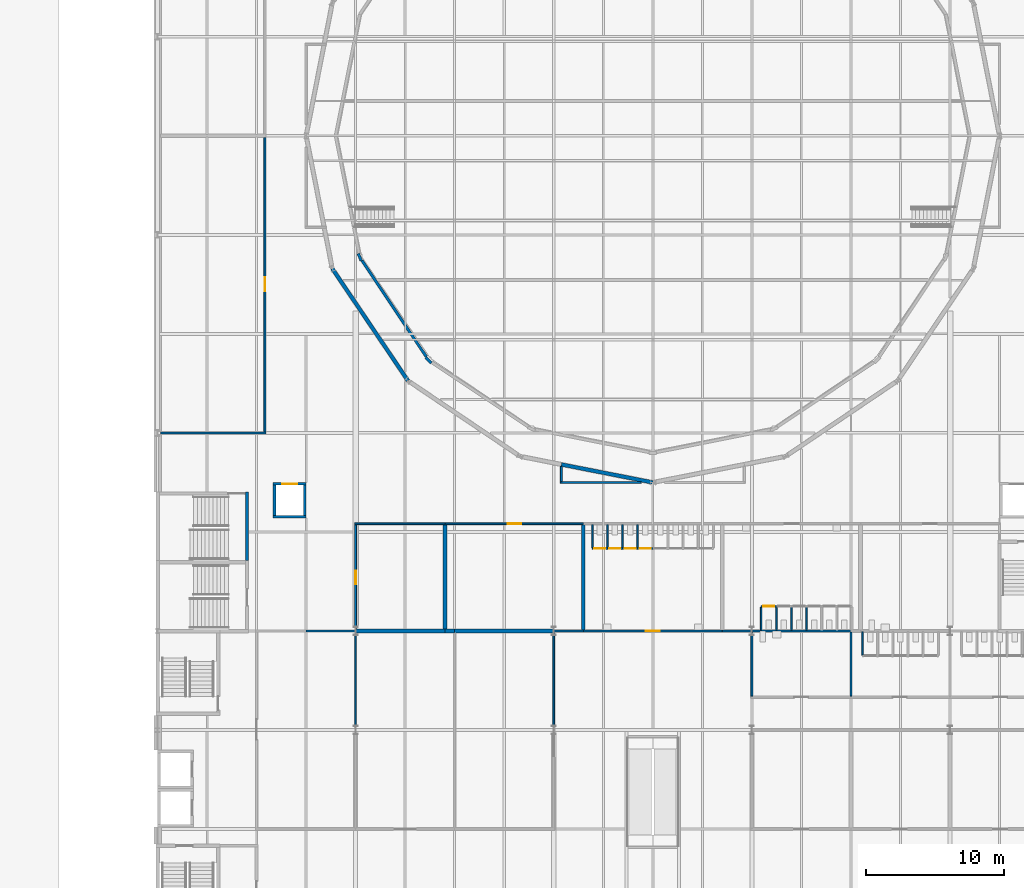
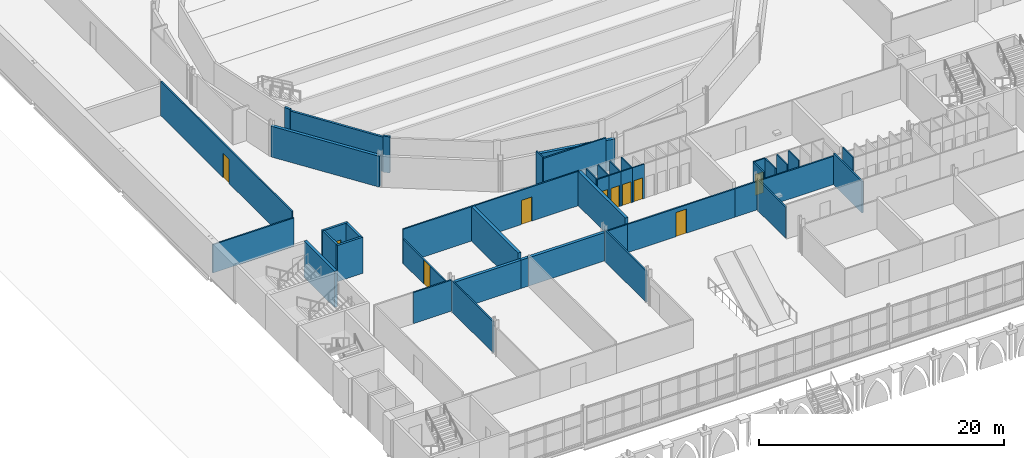
# One storey, part 46 of 90: 45 walls, 10 doors, 10 openings.
"""IFC4 building model written with IfcOpenShell, lengths in metres."""

from ifc_helpers import new_model, si_unit, direction, frame, frame_2d, origin, place, context, subcontext, project, spatial, rectangle, extrude, material, layer, layer_set, type_object, element, fill, save


model = new_model("IFC4")

# Units and contexts
model_context = context("Model", 3, precision=1e-05, world=origin(), true_north=direction((0.0, 1.0)))
body_context = subcontext(model_context, "Body", "Model", "MODEL_VIEW")
ifc_project = project(units=[si_unit("LENGTHUNIT", "METRE"), si_unit("AREAUNIT", "SQUARE_METRE"), si_unit("VOLUMEUNIT", "CUBIC_METRE"), si_unit("PLANEANGLEUNIT", "RADIAN"), si_unit("MASSUNIT", "GRAM", prefix="KILO")], contexts=[model_context])

# Site, building, storey
site_placement = place(None, origin())
site = spatial("IfcSite", under=ifc_project, at=site_placement, CompositionType="ELEMENT")
building_placement = place(site_placement, origin())
building = spatial("IfcBuilding", under=site, at=building_placement, Name="Kupolbacken Congress Centre", CompositionType="ELEMENT")
storey_placement = place(building_placement, frame((0.0, 0.0, 3.60009765625)))
storey = spatial("IfcBuildingStorey", under=building, at=storey_placement, Name="L01", CompositionType="ELEMENT", Elevation=3.60009765625)

# Walls
ifc_material_1 = material(Name="Operable acoustic wall panels", Category="metal")
ifc_layer_1 = layer(ifc_material_1, 0.1201171875)
ifc_layer_set_1 = layer_set([ifc_layer_1], Name="Operable acoustic wall panels")
wall_type_1 = type_object("IfcWallType", Name="MP2 movable partition 120", PredefinedType="MOVABLE", material=ifc_layer_set_1)
wall_1_placement = place(storey_placement, frame((21.60009765625, 50.262451171875, 0.0), z_axis=(0.0, 0.0, 1.0), x_axis=(0.0, -1.0, 0.0)))
element("IfcWall", 1, at=wall_1_placement, inside=storey, type_object=wall_type_1, Name="PD/L01/W029", PredefinedType="MOVABLE", context=body_context, shape_type="SweptSolid", body=[
    extrude(rectangle(XDim=6.762451171875, YDim=0.1201171875, at=frame_2d((3.38134765625, 0.0))), origin(), (0.0, 0.0, 1.0), 3.119873046875),
])
ifc_material_2 = material(Name="Gypsum board", Category="drywall")
ifc_layer_2 = layer(ifc_material_2, 0.114990234375)
ifc_layer_set_2 = layer_set([ifc_layer_2], Name="Gypsum board")
wall_type_2 = type_object("IfcWallType", Name="P04 partition 115", PredefinedType="PARTITIONING", material=ifc_layer_set_2)
wall_2_placement = place(storey_placement, frame((58.449951171875, 50.342529296875, 0.0), z_axis=(0.0, 0.0, 1.0), x_axis=(0.0, -1.0, 0.0)))
element("IfcWall", 2, at=wall_2_placement, inside=storey, type_object=wall_type_2, Name="PD/L01/F-WC-02/cub01/a", PredefinedType="PARTITIONING", context=body_context, shape_type="SweptSolid", body=[
    extrude(rectangle(XDim=1.68505859375, YDim=0.114990234375, at=frame_2d((0.842529296875, 0.0))), origin(), (0.0, 0.0, 1.0), 3.419921875),
])

# Wall, opening, door
wall_3_placement = place(storey_placement, frame((38.800048828125, 56.39990234375, 0.0), z_axis=(0.0, 0.0, 1.0), x_axis=(1.0, 0.0, 0.0)))
wall_3 = element("IfcWall", 3, at=wall_3_placement, inside=storey, type_object=wall_type_2, Name="PD/L01/P-30-11/cub01/F", PredefinedType="PARTITIONING", context=body_context, shape_type="SweptSolid", body=[
    extrude(rectangle(XDim=1.099853515625, YDim=0.114990234375, at=frame_2d((0.5498046875, 0.0))), origin(), (0.0, 0.0, 1.0), 3.419921875),
])
opening_1_placement = place(wall_3_placement, frame((0.14990234375, 0.0, 0.0)))
opening_1 = element("IfcOpeningElement", 4, at=opening_1_placement, cuts=wall_3, Name="Opening 1.WP31", PredefinedType="OPENING", context=body_context, shape_type="SweptSolid", body=[
    extrude(rectangle(XDim=0.800048828125, YDim=2.10009765625, at=frame_2d((0.39990234375, 1.050048828125))), frame((0.0, 0.0673828125, 0.0), z_axis=(0.0, -1.0, 0.0), x_axis=(1.0, 0.0, 0.0)), (0.0, 0.0, 1.0), 0.135009765625),
])
ifc_material_3 = material(Name="Timber door leaf", Category="wood")
door_type_1 = type_object("IfcDoorType", Name="D2 door 800x2100", OperationType="SINGLE_SWING_LEFT", PredefinedType="DOOR", material=ifc_material_3)
door_1_placement = place(opening_1_placement, origin())
door_1 = element("IfcDoor", 5, at=door_1_placement, inside=storey, type_object=door_type_1, Name="PD/L01/P-30-11/cub01/F/DC", OperationType="SINGLE_SWING_RIGHT", OverallHeight=2.10009765625, OverallWidth=0.800048828125, PredefinedType="DOOR", context=body_context, shape_type="SweptSolid", body=[
    extrude(rectangle(XDim=0.800048828125, YDim=2.10009765625, at=frame_2d((0.39990234375, 1.050048828125))), frame((0.0, 0.02490234375, 0.0), z_axis=(0.0, -1.0, 0.0), x_axis=(1.0, 0.0, 0.0)), (0.0, 0.0, 1.0), 0.050048828125),
])
fill(opening_1, door_1)

# Wall
wall_4_placement = place(storey_placement, frame((38.800048828125, 58.142578125, 0.0), z_axis=(0.0, 0.0, 1.0), x_axis=(0.0, -1.0, 0.0)))
element("IfcWall", 6, at=wall_4_placement, inside=storey, type_object=wall_type_2, Name="PD/L01/P-30-11/cub01/a", PredefinedType="PARTITIONING", context=body_context, shape_type="SweptSolid", body=[
    extrude(rectangle(XDim=1.68505859375, YDim=0.114990234375, at=frame_2d((0.842529296875, 0.0))), origin(), (0.0, 0.0, 1.0), 3.419921875),
])

# Wall, opening, door
wall_5_placement = place(storey_placement, frame((39.89990234375, 56.39990234375, 0.0), z_axis=(0.0, 0.0, 1.0), x_axis=(1.0, 0.0, 0.0)))
wall_5 = element("IfcWall", 7, at=wall_5_placement, inside=storey, type_object=wall_type_2, Name="PD/L01/P-30-11/cub02/F", PredefinedType="PARTITIONING", context=body_context, shape_type="SweptSolid", body=[
    extrude(rectangle(XDim=1.10009765625, YDim=0.114990234375, at=frame_2d((0.550048828125, 0.0))), origin(), (0.0, 0.0, 1.0), 3.419921875),
])
opening_2_placement = place(wall_5_placement, frame((0.14990234375, 0.0, 0.0)))
opening_2 = element("IfcOpeningElement", 8, at=opening_2_placement, cuts=wall_5, Name="Opening 1.WP32", PredefinedType="OPENING", context=body_context, shape_type="SweptSolid", body=[
    extrude(rectangle(XDim=0.800048828125, YDim=2.10009765625, at=frame_2d((0.39990234375, 1.050048828125))), frame((0.0, 0.0673828125, 0.0), z_axis=(0.0, -1.0, 0.0), x_axis=(1.0, 0.0, 0.0)), (0.0, 0.0, 1.0), 0.135009765625),
])
door_2_placement = place(opening_2_placement, origin())
door_2 = element("IfcDoor", 9, at=door_2_placement, inside=storey, type_object=door_type_1, Name="PD/L01/P-30-11/cub02/F/DC", OperationType="SINGLE_SWING_RIGHT", OverallHeight=2.10009765625, OverallWidth=0.800048828125, PredefinedType="DOOR", context=body_context, shape_type="SweptSolid", body=[
    extrude(rectangle(XDim=0.800048828125, YDim=2.10009765625, at=frame_2d((0.39990234375, 1.050048828125))), frame((0.0, 0.02490234375, 0.0), z_axis=(0.0, -1.0, 0.0), x_axis=(1.0, 0.0, 0.0)), (0.0, 0.0, 1.0), 0.050048828125),
])
fill(opening_2, door_2)

# Wall
wall_6_placement = place(storey_placement, frame((39.89990234375, 58.142578125, 0.0), z_axis=(0.0, 0.0, 1.0), x_axis=(0.0, -1.0, 0.0)))
element("IfcWall", 10, at=wall_6_placement, inside=storey, type_object=wall_type_2, Name="PD/L01/P-30-11/cub02/a", PredefinedType="PARTITIONING", context=body_context, shape_type="SweptSolid", body=[
    extrude(rectangle(XDim=1.68505859375, YDim=0.114990234375, at=frame_2d((0.842529296875, 0.0))), origin(), (0.0, 0.0, 1.0), 3.419921875),
])

# Wall, opening, door
wall_7_placement = place(storey_placement, frame((41.0, 56.39990234375, 0.0), z_axis=(0.0, 0.0, 1.0), x_axis=(1.0, 0.0, 0.0)))
wall_7 = element("IfcWall", 11, at=wall_7_placement, inside=storey, type_object=wall_type_2, Name="PD/L01/P-30-11/cub03/F", PredefinedType="PARTITIONING", context=body_context, shape_type="SweptSolid", body=[
    extrude(rectangle(XDim=1.10009765625, YDim=0.114990234375, at=frame_2d((0.550048828125, 0.0))), origin(), (0.0, 0.0, 1.0), 3.419921875),
])
opening_3_placement = place(wall_7_placement, frame((0.14990234375, 0.0, 0.0)))
opening_3 = element("IfcOpeningElement", 12, at=opening_3_placement, cuts=wall_7, Name="Opening 1.WP33", PredefinedType="OPENING", context=body_context, shape_type="SweptSolid", body=[
    extrude(rectangle(XDim=0.800048828125, YDim=2.10009765625, at=frame_2d((0.39990234375, 1.050048828125))), frame((0.0, 0.0673828125, 0.0), z_axis=(0.0, -1.0, 0.0), x_axis=(1.0, 0.0, 0.0)), (0.0, 0.0, 1.0), 0.135009765625),
])
door_3_placement = place(opening_3_placement, origin())
door_3 = element("IfcDoor", 13, at=door_3_placement, inside=storey, type_object=door_type_1, Name="PD/L01/P-30-11/cub03/F/DC", OperationType="SINGLE_SWING_RIGHT", OverallHeight=2.10009765625, OverallWidth=0.800048828125, PredefinedType="DOOR", context=body_context, shape_type="SweptSolid", body=[
    extrude(rectangle(XDim=0.800048828125, YDim=2.10009765625, at=frame_2d((0.39990234375, 1.050048828125))), frame((0.0, 0.02490234375, 0.0), z_axis=(0.0, -1.0, 0.0), x_axis=(1.0, 0.0, 0.0)), (0.0, 0.0, 1.0), 0.050048828125),
])
fill(opening_3, door_3)

# Wall
wall_8_placement = place(storey_placement, frame((41.0, 58.142578125, 0.0), z_axis=(0.0, 0.0, 1.0), x_axis=(0.0, -1.0, 0.0)))
element("IfcWall", 14, at=wall_8_placement, inside=storey, type_object=wall_type_2, Name="PD/L01/P-30-11/cub03/a", PredefinedType="PARTITIONING", context=body_context, shape_type="SweptSolid", body=[
    extrude(rectangle(XDim=1.68505859375, YDim=0.114990234375, at=frame_2d((0.842529296875, 0.0))), origin(), (0.0, 0.0, 1.0), 3.419921875),
])

# Wall, opening, door
wall_9_placement = place(storey_placement, frame((42.10009765625, 56.39990234375, 0.0), z_axis=(0.0, 0.0, 1.0), x_axis=(1.0, 0.0, 0.0)))
wall_9 = element("IfcWall", 15, at=wall_9_placement, inside=storey, type_object=wall_type_2, Name="PD/L01/P-30-11/cub04/F", PredefinedType="PARTITIONING", context=body_context, shape_type="SweptSolid", body=[
    extrude(rectangle(XDim=1.099853515625, YDim=0.114990234375, at=frame_2d((0.5498046875, 0.0))), origin(), (0.0, 0.0, 1.0), 3.419921875),
])
opening_4_placement = place(wall_9_placement, frame((0.14990234375, 0.0, 0.0)))
opening_4 = element("IfcOpeningElement", 16, at=opening_4_placement, cuts=wall_9, Name="Opening 1.WP34", PredefinedType="OPENING", context=body_context, shape_type="SweptSolid", body=[
    extrude(rectangle(XDim=0.800048828125, YDim=2.10009765625, at=frame_2d((0.39990234375, 1.050048828125))), frame((0.0, 0.0673828125, 0.0), z_axis=(0.0, -1.0, 0.0), x_axis=(1.0, 0.0, 0.0)), (0.0, 0.0, 1.0), 0.135009765625),
])
door_4_placement = place(opening_4_placement, origin())
door_4 = element("IfcDoor", 17, at=door_4_placement, inside=storey, type_object=door_type_1, Name="PD/L01/P-30-11/cub04/F/DC", OperationType="SINGLE_SWING_LEFT", OverallHeight=2.10009765625, OverallWidth=0.800048828125, PredefinedType="DOOR", context=body_context, shape_type="SweptSolid", body=[
    extrude(rectangle(XDim=0.800048828125, YDim=2.10009765625, at=frame_2d((0.39990234375, 1.050048828125))), frame((0.0, 0.02490234375, 0.0), z_axis=(0.0, -1.0, 0.0), x_axis=(1.0, 0.0, 0.0)), (0.0, 0.0, 1.0), 0.050048828125),
])
fill(opening_4, door_4)

# Wall
wall_10_placement = place(storey_placement, frame((42.10009765625, 58.142578125, 0.0), z_axis=(0.0, 0.0, 1.0), x_axis=(0.0, -1.0, 0.0)))
element("IfcWall", 18, at=wall_10_placement, inside=storey, type_object=wall_type_2, Name="PD/L01/P-30-11/cub04/a", PredefinedType="PARTITIONING", context=body_context, shape_type="SweptSolid", body=[
    extrude(rectangle(XDim=1.68505859375, YDim=0.114990234375, at=frame_2d((0.842529296875, 0.0))), origin(), (0.0, 0.0, 1.0), 3.419921875),
])

# Wall, opening, door
wall_11_placement = place(storey_placement, frame((51.074951171875, 52.199951171875, 0.0), z_axis=(0.0, 0.0, 1.0), x_axis=(1.0, 0.0, 0.0)))
wall_11 = element("IfcWall", 19, at=wall_11_placement, inside=storey, type_object=wall_type_2, Name="PD/L01/P-31-12/cub03/F", PredefinedType="PARTITIONING", context=body_context, shape_type="SweptSolid", body=[
    extrude(rectangle(XDim=1.10009765625, YDim=0.114990234375, at=frame_2d((0.550048828125, 0.0))), origin(), (0.0, 0.0, 1.0), 3.419921875),
])
opening_5_placement = place(wall_11_placement, frame((0.14990234375, 0.0, 0.0)))
opening_5 = element("IfcOpeningElement", 20, at=opening_5_placement, cuts=wall_11, Name="Opening 1.WP39", PredefinedType="OPENING", context=body_context, shape_type="SweptSolid", body=[
    extrude(rectangle(XDim=0.800048828125, YDim=2.10009765625, at=frame_2d((0.39990234375, 1.050048828125))), frame((0.0, 0.0673828125, 0.0), z_axis=(0.0, -1.0, 0.0), x_axis=(1.0, 0.0, 0.0)), (0.0, 0.0, 1.0), 0.135009765625),
])
door_5_placement = place(opening_5_placement, origin())
door_5 = element("IfcDoor", 21, at=door_5_placement, inside=storey, type_object=door_type_1, Name="PD/L01/P-31-12/cub03/F/DC", OperationType="SINGLE_SWING_RIGHT", OverallHeight=2.10009765625, OverallWidth=0.800048828125, PredefinedType="DOOR", context=body_context, shape_type="SweptSolid", body=[
    extrude(rectangle(XDim=0.800048828125, YDim=2.10009765625, at=frame_2d((0.39990234375, 1.050048828125))), frame((0.0, 0.02490234375, 0.0), z_axis=(0.0, -1.0, 0.0), x_axis=(1.0, 0.0, 0.0)), (0.0, 0.0, 1.0), 0.050048828125),
])
fill(opening_5, door_5)

# Walls
for number, where, z_axis, x_axis, name in (
    (22, (51.074951171875, 50.45751953125, 0.0), (0.0, 0.0, 1.0), (0.0, 1.0, 0.0), "PD/L01/P-31-12/cub03/a"),
    (23, (52.175048828125, 50.45751953125, 0.0), (0.0, 0.0, 1.0), (0.0, 1.0, 0.0), "PD/L01/P-31-12/cub04/a"),
    (24, (53.27490234375, 50.45751953125, 0.0), (0.0, 0.0, 1.0), (0.0, 1.0, 0.0), "PD/L01/P-31-12/cub05/a"),
    (25, (54.375, 50.45751953125, 0.0), (0.0, 0.0, 1.0), (0.0, 1.0, 0.0), "PD/L01/P-31-12/cub06/a"),
):
    element("IfcWall", number, at=place(storey_placement, frame(where, z_axis=z_axis, x_axis=x_axis)), inside=storey, type_object=wall_type_2, Name=name, PredefinedType="PARTITIONING", context=body_context, shape_type="SweptSolid", body=[
        extrude(rectangle(XDim=1.68505859375, YDim=0.114990234375, at=frame_2d((0.842529296875, 0.0))), origin(), (0.0, 0.0, 1.0), 3.419921875),
    ])
ifc_material_4 = material(Name="Gypsum board", Category="drywall")
ifc_layer_3 = layer(ifc_material_4, 0.135009765625)
ifc_layer_set_3 = layer_set([ifc_layer_3], Name="Gypsum board")
wall_type_3 = type_object("IfcWallType", Name="P06 compartment wall 135", PredefinedType="PARTITIONING", material=ifc_layer_set_3)
wall_12_placement = place(storey_placement, frame((18.0, 50.39990234375, 0.0), z_axis=(0.0, 0.0, 1.0), x_axis=(1.0, 0.0, 0.0)))
element("IfcWall", 26, at=wall_12_placement, inside=storey, type_object=wall_type_3, Name="PD/L01/W030", PredefinedType="PARTITIONING", context=body_context, shape_type="SweptSolid", body=[
    extrude(rectangle(XDim=3.60009765625, YDim=0.135009765625, at=frame_2d((1.800048828125, 0.0))), origin(), (0.0, 0.0, 1.0), 3.08984375),
])
wall_13_placement = place(storey_placement, frame((36.0, 50.262451171875, 0.0), z_axis=(0.0, 0.0, 1.0), x_axis=(0.0, -1.0, 0.0)))
element("IfcWall", 27, at=wall_13_placement, inside=storey, type_object=wall_type_3, Name="PD/L01/W034", PredefinedType="PARTITIONING", context=body_context, shape_type="SweptSolid", body=[
    extrude(rectangle(XDim=6.762451171875, YDim=0.135009765625, at=frame_2d((3.38134765625, 0.0))), origin(), (0.0, 0.0, 1.0), 3.119873046875),
])
wall_14_placement = place(storey_placement, frame((50.39990234375, 50.33251953125, 0.0), z_axis=(0.0, 0.0, 1.0), x_axis=(0.0, -1.0, 0.0)))
element("IfcWall", 28, at=wall_14_placement, inside=storey, type_object=wall_type_3, Name="PD/L01/W037", PredefinedType="PARTITIONING", context=body_context, shape_type="SweptSolid", body=[
    extrude(rectangle(XDim=4.6650390625, YDim=0.135009765625, at=frame_2d((2.33251953125, 0.0))), origin(), (0.0, 0.0, 1.0), 3.119873046875),
])
wall_15_placement = place(storey_placement, frame((36.0, 50.39990234375, 0.0), z_axis=(0.0, 0.0, 1.0), x_axis=(1.0, 0.0, 0.0)))
element("IfcWall", 29, at=wall_15_placement, inside=storey, type_object=wall_type_3, Name="PD/L01/W038", PredefinedType="PARTITIONING", context=body_context, shape_type="SweptSolid", body=[
    extrude(rectangle(XDim=2.14990234375, YDim=0.135009765625, at=frame_2d((1.074951171875, 0.0))), origin(), (0.0, 0.0, 1.0), 2.81982421875),
])

# Wall, opening, door
wall_16_placement = place(storey_placement, frame((38.14990234375, 50.39990234375, 0.0), z_axis=(0.0, 0.0, 1.0), x_axis=(1.0, 0.0, 0.0)))
wall_16 = element("IfcWall", 30, at=wall_16_placement, inside=storey, type_object=wall_type_3, Name="PD/L01/W039", PredefinedType="PARTITIONING", context=body_context, shape_type="SweptSolid", body=[
    extrude(rectangle(XDim=10.10009765625, YDim=0.135009765625, at=frame_2d((5.050048828125, 0.0))), origin(), (0.0, 0.0, 1.0), 2.81982421875),
])
opening_6_placement = place(wall_16_placement, frame((4.550048828125, 0.0, 0.0)))
opening_6 = element("IfcOpeningElement", 31, at=opening_6_placement, cuts=wall_16, Name="Opening 1.P19", PredefinedType="OPENING", context=body_context, shape_type="SweptSolid", body=[
    extrude(rectangle(XDim=1.0, YDim=2.39990234375, at=frame_2d((0.5, 1.199951171875))), frame((0.0, 0.077392578125, 0.0), z_axis=(0.0, -1.0, 0.0), x_axis=(1.0, 0.0, 0.0)), (0.0, 0.0, 1.0), 0.155029296875),
])
ifc_material_5 = material(Name="Steel fire door leaf", Category="steel")
door_type_2 = type_object("IfcDoorType", Name="D8 fire door 1000x2400", OperationType="SINGLE_SWING_LEFT", PredefinedType="DOOR", material=ifc_material_5)
door_6_placement = place(opening_6_placement, origin())
door_6 = element("IfcDoor", 32, at=door_6_placement, inside=storey, type_object=door_type_2, Name="PD/L01/W039/D1P19", OperationType="SINGLE_SWING_RIGHT", OverallHeight=2.39990234375, OverallWidth=1.0, PredefinedType="DOOR", context=body_context, shape_type="SweptSolid", body=[
    extrude(rectangle(XDim=1.0, YDim=2.39990234375, at=frame_2d((0.5, 1.199951171875))), frame((0.0, 0.02490234375, 0.0), z_axis=(0.0, -1.0, 0.0), x_axis=(1.0, 0.0, 0.0)), (0.0, 0.0, 1.0), 0.050048828125),
])
fill(opening_6, door_6)

# Walls
wall_17_placement = place(storey_placement, frame((48.25, 50.39990234375, 0.0), z_axis=(0.0, 0.0, 1.0), x_axis=(1.0, 0.0, 0.0)))
element("IfcWall", 33, at=wall_17_placement, inside=storey, type_object=wall_type_3, Name="PD/L01/W040", PredefinedType="PARTITIONING", context=body_context, shape_type="SweptSolid", body=[
    extrude(rectangle(XDim=2.14990234375, YDim=0.135009765625, at=frame_2d((1.074951171875, 0.0))), origin(), (0.0, 0.0, 1.0), 2.81982421875),
])
wall_18_placement = place(storey_placement, frame((57.60009765625, 50.33251953125, 0.0), z_axis=(0.0, 0.0, 1.0), x_axis=(0.0, -1.0, 0.0)))
element("IfcWall", 34, at=wall_18_placement, inside=storey, type_object=wall_type_3, Name="PD/L01/W049", PredefinedType="PARTITIONING", context=body_context, shape_type="SweptSolid", body=[
    extrude(rectangle(XDim=4.6650390625, YDim=0.135009765625, at=frame_2d((2.33251953125, 0.0))), origin(), (0.0, 0.0, 1.0), 3.119873046875),
])
wall_19_placement = place(storey_placement, frame((50.39990234375, 50.39990234375, 0.0), z_axis=(0.0, 0.0, 1.0), x_axis=(1.0, 0.0, 0.0)))
element("IfcWall", 35, at=wall_19_placement, inside=storey, type_object=wall_type_3, Name="PD/L01/W050", PredefinedType="PARTITIONING", context=body_context, shape_type="SweptSolid", body=[
    extrude(rectangle(XDim=7.2001953125, YDim=0.135009765625, at=frame_2d((3.60009765625, 0.0))), origin(), (0.0, 0.0, 1.0), 2.81982421875),
])
wall_20_placement = place(storey_placement, frame((15.0673828125, 64.800048828125, 0.0), z_axis=(0.0, 0.0, 1.0), x_axis=(-1.0, 0.0, 0.0)))
element("IfcWall", 36, at=wall_20_placement, inside=storey, type_object=wall_type_3, Name="PD/L01/W063", PredefinedType="PARTITIONING", context=body_context, shape_type="SweptSolid", body=[
    extrude(rectangle(XDim=7.6474609375, YDim=0.135009765625, at=frame_2d((3.82373046875, 0.0))), origin(), (0.0, 0.0, 1.0), 2.81982421875),
])

# Wall, opening, door
wall_21_placement = place(storey_placement, frame((15.0, 86.262451171875, 0.0), z_axis=(0.0, 0.0, 1.0), x_axis=(0.0, -1.0, 0.0)))
wall_21 = element("IfcWall", 37, at=wall_21_placement, inside=storey, type_object=wall_type_3, Name="PD/L01/W064", PredefinedType="PARTITIONING", context=body_context, shape_type="SweptSolid", body=[
    extrude(rectangle(XDim=21.39501953125, YDim=0.135009765625, at=frame_2d((10.697509765625, 0.0))), origin(), (0.0, 0.0, 1.0), 3.419921875),
])
opening_7_placement = place(wall_21_placement, frame((10.14990234375, 0.0, 0.0)))
opening_7 = element("IfcOpeningElement", 38, at=opening_7_placement, cuts=wall_21, Name="Opening 1.P13", PredefinedType="OPENING", context=body_context, shape_type="SweptSolid", body=[
    extrude(rectangle(XDim=1.0, YDim=2.39990234375, at=frame_2d((0.5, 1.199951171875))), frame((0.0, 0.077392578125, 0.0), z_axis=(0.0, -1.0, 0.0), x_axis=(1.0, 0.0, 0.0)), (0.0, 0.0, 1.0), 0.155029296875),
])
door_7_placement = place(opening_7_placement, frame((1.0, 0.0, 0.0), z_axis=(0.0, 0.0, 1.0), x_axis=(-1.0, 0.0, 0.0)))
door_7 = element("IfcDoor", 39, at=door_7_placement, inside=storey, type_object=door_type_2, Name="PD/L01/W064/D1P13", OperationType="SINGLE_SWING_RIGHT", OverallHeight=2.39990234375, OverallWidth=1.0, PredefinedType="DOOR", context=body_context, shape_type="SweptSolid", body=[
    extrude(rectangle(XDim=1.0, YDim=2.39990234375, at=frame_2d((0.5, 1.199951171875))), frame((0.0, 0.02490234375, 0.0), z_axis=(0.0, -1.0, 0.0), x_axis=(1.0, 0.0, 0.0)), (0.0, 0.0, 1.0), 0.050048828125),
])
fill(opening_7, door_7)

wall_22_placement = place(storey_placement, frame((21.60009765625, 50.53759765625, 0.0), z_axis=(0.0, 0.0, 1.0), x_axis=(0.0, 1.0, 0.0)))
wall_22 = element("IfcWall", 40, at=wall_22_placement, inside=storey, type_object=wall_type_3, Name="PD/L01/W073", PredefinedType="PARTITIONING", context=body_context, shape_type="SweptSolid", body=[
    extrude(rectangle(XDim=7.594970703125, YDim=0.135009765625, at=frame_2d((3.79736328125, 0.0))), origin(), (0.0, 0.0, 1.0), 2.419921875),
])
opening_8_placement = place(wall_22_placement, frame((3.25, 0.0, 0.0)))
opening_8 = element("IfcOpeningElement", 41, at=opening_8_placement, cuts=wall_22, Name="Opening 1.P17", PredefinedType="OPENING", context=body_context, shape_type="SweptSolid", body=[
    extrude(rectangle(XDim=1.0, YDim=2.39990234375, at=frame_2d((0.5, 1.199951171875))), frame((0.0, 0.077392578125, 0.0), z_axis=(0.0, -1.0, 0.0), x_axis=(1.0, 0.0, 0.0)), (0.0, 0.0, 1.0), 0.155029296875),
])
door_8_placement = place(opening_8_placement, frame((1.0, 0.0, 0.0), z_axis=(0.0, 0.0, 1.0), x_axis=(-1.0, 0.0, 0.0)))
door_8 = element("IfcDoor", 42, at=door_8_placement, inside=storey, type_object=door_type_2, Name="PD/L01/W073/D1P17", OperationType="SINGLE_SWING_RIGHT", OverallHeight=2.39990234375, OverallWidth=1.0, PredefinedType="DOOR", context=body_context, shape_type="SweptSolid", body=[
    extrude(rectangle(XDim=1.0, YDim=2.39990234375, at=frame_2d((0.5, 1.199951171875))), frame((0.0, 0.02490234375, 0.0), z_axis=(0.0, -1.0, 0.0), x_axis=(1.0, 0.0, 0.0)), (0.0, 0.0, 1.0), 0.050048828125),
])
fill(opening_8, door_8)

# Wall
wall_23_placement = place(storey_placement, frame((21.532470703125, 58.199951171875, 0.0), z_axis=(0.0, 0.0, 1.0), x_axis=(1.0, 0.0, 0.0)))
element("IfcWall", 43, at=wall_23_placement, inside=storey, type_object=wall_type_3, Name="PD/L01/W074", PredefinedType="PARTITIONING", context=body_context, shape_type="SweptSolid", body=[
    extrude(rectangle(XDim=6.567626953125, YDim=0.135009765625, at=frame_2d((3.28369140625, 0.0))), origin(), (0.0, 0.0, 1.0), 3.419921875),
])

# Wall, opening, door
wall_24_placement = place(storey_placement, frame((28.10009765625, 58.199951171875, 0.0), z_axis=(0.0, 0.0, 1.0), x_axis=(1.0, 0.0, 0.0)))
wall_24 = element("IfcWall", 44, at=wall_24_placement, inside=storey, type_object=wall_type_3, Name="PD/L01/W076", PredefinedType="PARTITIONING", context=body_context, shape_type="SweptSolid", body=[
    extrude(rectangle(XDim=10.0498046875, YDim=0.135009765625, at=frame_2d((5.02490234375, 0.0))), origin(), (0.0, 0.0, 1.0), 3.419921875),
])
opening_9_placement = place(wall_24_placement, frame((4.550048828125, 0.0, 0.0)))
opening_9 = element("IfcOpeningElement", 45, at=opening_9_placement, cuts=wall_24, Name="Opening 1.P18", PredefinedType="OPENING", context=body_context, shape_type="SweptSolid", body=[
    extrude(rectangle(XDim=1.0, YDim=2.39990234375, at=frame_2d((0.5, 1.199951171875))), frame((0.0, 0.077392578125, 0.0), z_axis=(0.0, -1.0, 0.0), x_axis=(1.0, 0.0, 0.0)), (0.0, 0.0, 1.0), 0.155029296875),
])
door_9_placement = place(opening_9_placement, origin())
door_9 = element("IfcDoor", 46, at=door_9_placement, inside=storey, type_object=door_type_2, Name="PD/L01/W076/D1P18", OperationType="SINGLE_SWING_RIGHT", OverallHeight=2.39990234375, OverallWidth=1.0, PredefinedType="DOOR", context=body_context, shape_type="SweptSolid", body=[
    extrude(rectangle(XDim=1.0, YDim=2.39990234375, at=frame_2d((0.5, 1.199951171875))), frame((0.0, 0.02490234375, 0.0), z_axis=(0.0, -1.0, 0.0), x_axis=(1.0, 0.0, 0.0)), (0.0, 0.0, 1.0), 0.050048828125),
])
fill(opening_9, door_9)

# Walls
wall_25_placement = place(storey_placement, frame((36.482421875, 61.199951171875, 0.0), z_axis=(0.0, 0.0, 1.0), x_axis=(1.0, 0.0, 0.0)))
element("IfcWall", 47, at=wall_25_placement, inside=storey, type_object=wall_type_3, Name="PD/L01/W088", PredefinedType="PARTITIONING", context=body_context, shape_type="SweptSolid", body=[
    extrude(rectangle(XDim=5.86767578125, YDim=0.135009765625, at=frame_2d((2.933837890625, 0.0))), origin(), (0.0, 0.0, 1.0), 3.419921875),
])
wall_26_placement = place(storey_placement, frame((36.550048828125, 62.371826171875, 0.0), z_axis=(0.0, 0.0, 1.0), x_axis=(0.0, -1.0, 0.0)))
element("IfcWall", 48, at=wall_26_placement, inside=storey, type_object=wall_type_3, Name="PD/L01/W090", PredefinedType="PARTITIONING", context=body_context, shape_type="SweptSolid", body=[
    extrude(rectangle(XDim=1.104248046875, YDim=0.135009765625, at=frame_2d((0.55224609375, 0.0))), origin(), (0.0, 0.0, 1.0), 3.419921875),
])
ifc_material_6 = material(Name="Gypsum board", Category="drywall")
ifc_layer_4 = layer(ifc_material_6, 0.27490234375)
ifc_layer_set_4 = layer_set([ifc_layer_4], Name="Gypsum board")
wall_type_4 = type_object("IfcWallType", Name="P12 partition 275", PredefinedType="PARTITIONING", material=ifc_layer_set_4)
wall_27_placement = place(storey_placement, frame((21.60009765625, 50.39990234375, 0.0), z_axis=(0.0, 0.0, 1.0), x_axis=(1.0, 0.0, 0.0)))
element("IfcWall", 49, at=wall_27_placement, inside=storey, type_object=wall_type_4, Name="PD/L01/W032", PredefinedType="PARTITIONING", context=body_context, shape_type="SweptSolid", body=[
    extrude(rectangle(XDim=6.5, YDim=0.27490234375, at=frame_2d((3.25, 0.0))), origin(), (0.0, 0.0, 1.0), 2.81982421875),
])
wall_28_placement = place(storey_placement, frame((28.10009765625, 50.39990234375, 0.0), z_axis=(0.0, 0.0, 1.0), x_axis=(1.0, 0.0, 0.0)))
element("IfcWall", 50, at=wall_28_placement, inside=storey, type_object=wall_type_4, Name="PD/L01/W033", PredefinedType="PARTITIONING", context=body_context, shape_type="SweptSolid", body=[
    extrude(rectangle(XDim=0.699951171875, YDim=0.27490234375, at=frame_2d((0.35009765625, 0.0))), origin(), (0.0, 0.0, 1.0), 2.81982421875),
])
wall_29_placement = place(storey_placement, frame((28.800048828125, 50.39990234375, 0.0), z_axis=(0.0, 0.0, 1.0), x_axis=(1.0, 0.0, 0.0)))
element("IfcWall", 51, at=wall_29_placement, inside=storey, type_object=wall_type_4, Name="PD/L01/W035", PredefinedType="PARTITIONING", context=body_context, shape_type="SweptSolid", body=[
    extrude(rectangle(XDim=7.199951171875, YDim=0.27490234375, at=frame_2d((3.60009765625, 0.0))), origin(), (0.0, 0.0, 1.0), 2.81982421875),
])
wall_30_placement = place(storey_placement, frame((28.10009765625, 58.132568359375, 0.0), z_axis=(0.0, 0.0, 1.0), x_axis=(0.0, -1.0, 0.0)))
element("IfcWall", 52, at=wall_30_placement, inside=storey, type_object=wall_type_4, Name="PD/L01/W072", PredefinedType="PARTITIONING", context=body_context, shape_type="SweptSolid", body=[
    extrude(rectangle(XDim=7.594970703125, YDim=0.27490234375, at=frame_2d((3.79736328125, 0.0))), origin(), (0.0, 0.0, 1.0), 3.419921875),
])
wall_31_placement = place(storey_placement, frame((38.14990234375, 58.132568359375, 0.0), z_axis=(0.0, 0.0, 1.0), x_axis=(0.0, -1.0, 0.0)))
element("IfcWall", 53, at=wall_31_placement, inside=storey, type_object=wall_type_4, Name="PD/L01/W075", PredefinedType="PARTITIONING", context=body_context, shape_type="SweptSolid", body=[
    extrude(rectangle(XDim=7.6650390625, YDim=0.27490234375, at=frame_2d((3.83251953125, 0.0))), origin(), (0.0, 0.0, 1.0), 3.419921875),
])
wall_32_placement = place(storey_placement, frame((19.89990234375, 76.75, 0.0), z_axis=(0.0, 0.0, 1.0), x_axis=(0.559390118145, -0.828904515443, 0.0)))
element("IfcWall", 54, at=wall_32_placement, inside=storey, type_object=wall_type_4, Name="PD/L01/W094", PredefinedType="PARTITIONING", context=body_context, shape_type="SweptSolid", body=[
    extrude(rectangle(XDim=9.83203125, YDim=0.27490234375, at=frame_2d((4.916015625, 0.0))), origin(), (0.0, 0.0, 1.0), 3.06982421875),
])
wall_33_placement = place(storey_placement, frame((36.550048828125, 62.50927734375, 0.0), z_axis=(0.0, 0.0, 1.0), x_axis=(0.981162344826, -0.193185022957, 0.0)))
element("IfcWall", 55, at=wall_33_placement, inside=storey, type_object=wall_type_4, Name="PD/L01/W096", PredefinedType="PARTITIONING", context=body_context, shape_type="SweptSolid", body=[
    extrude(rectangle(XDim=6.777587890625, YDim=0.27490234375, at=frame_2d((3.388671875, 0.0))), origin(), (0.0, 0.0, 1.0), 3.06982421875),
])
ifc_material_7 = material(Name="Concrete C40/50", Category="concrete")
ifc_layer_5 = layer(ifc_material_7, 0.199951171875)
ifc_layer_set_5 = layer_set([ifc_layer_5], Name="Concrete C40/50")
wall_type_5 = type_object("IfcWallType", Name="TW1 RC tier wall 200", PredefinedType="SOLIDWALL", material=ifc_layer_set_5)
wall_34_placement = place(storey_placement, frame((22.054931640625, 77.33837890625, 0.0), z_axis=(0.0, 0.0, 1.0), x_axis=(0.555575794142, -0.831465896453, 0.0)))
element("IfcWall", 56, at=wall_34_placement, inside=storey, type_object=wall_type_5, Name="PD/L01/ringwall/2025", PredefinedType="SOLIDWALL", context=body_context, shape_type="SweptSolid", body=[
    extrude(rectangle(XDim=8.42626953125, YDim=0.199951171875, at=frame_2d((4.213134765625, 0.0))), origin(), (0.0, 0.0, 1.0), 3.431884765625),
])
for number, where, z_axis, x_axis, name in (
    (57, (21.789306640625, 77.83447265625, 0.0), (0.0, 0.0, 1.0), (0.382788170111, -0.92383614176, 0.0), "PD/L01/ringpier/2025"),
    (58, (26.697021484375, 70.29296875, 0.0), (0.0, 0.0, 1.0), (0.707106781187, -0.707106781187, 0.0), "PD/L01/ringpier/2250"),
):
    element("IfcWall", number, at=place(storey_placement, frame(where, z_axis=z_axis, x_axis=x_axis)), inside=storey, type_object=wall_type_5, Name=name, PredefinedType="SOLIDWALL", context=body_context, shape_type="SweptSolid", body=[
        extrude(rectangle(XDim=0.56005859375, YDim=0.199951171875, at=frame_2d((0.280029296875, 0.0))), origin(), (0.0, 0.0, 1.0), 3.599853515625),
    ])
ifc_material_8 = material(Name="Concrete C40/50", Category="concrete")
ifc_layer_6 = layer(ifc_material_8, 0.199951171875)
ifc_layer_set_6 = layer_set([ifc_layer_6], Name="Concrete C40/50")
wall_type_6 = type_object("IfcWallType", Name="WC1 RC shaft wall 200", PredefinedType="SHEAR", material=ifc_layer_set_6)
wall_35_placement = place(storey_placement, frame((15.60009765625, 58.699951171875, 0.0), z_axis=(0.0, 0.0, 1.0), x_axis=(1.0, 0.0, 0.0)))
element("IfcWall", 59, at=wall_35_placement, inside=storey, type_object=wall_type_6, Name="Shaft wall LP5", PredefinedType="SHEAR", context=body_context, shape_type="SweptSolid", body=[
    extrude(rectangle(XDim=2.39990234375, YDim=0.199951171875, at=frame_2d((1.199951171875, 0.0))), origin(), (0.0, 0.0, 1.0), 3.599853515625),
])

# Wall, opening, door
wall_36_placement = place(storey_placement, frame((15.60009765625, 61.10009765625, 0.0), z_axis=(0.0, 0.0, 1.0), x_axis=(1.0, 0.0, 0.0)))
wall_36 = element("IfcWall", 60, at=wall_36_placement, inside=storey, type_object=wall_type_6, Name="Shaft wall LP5", PredefinedType="SHEAR", context=body_context, shape_type="SweptSolid", body=[
    extrude(rectangle(XDim=2.39990234375, YDim=0.199951171875, at=frame_2d((1.199951171875, 0.0))), origin(), (0.0, 0.0, 1.0), 3.599853515625),
])
opening_10_placement = place(wall_36_placement, frame((0.64990234375, 0.0, 0.0)))
opening_10 = element("IfcOpeningElement", 61, at=opening_10_placement, cuts=wall_36, Name="Opening LD2", PredefinedType="OPENING", context=body_context, shape_type="SweptSolid", body=[
    extrude(rectangle(XDim=1.10009765625, YDim=2.10009765625, at=frame_2d((0.550048828125, 1.050048828125))), frame((0.0, 0.10986328125, 0.0), z_axis=(0.0, -1.0, 0.0), x_axis=(1.0, 0.0, 0.0)), (0.0, 0.0, 1.0), 0.219970703125),
])
ifc_material_9 = material(Name="Stainless steel door leaf", Category="steel")
door_type_3 = type_object("IfcDoorType", Name="LD2 lift landing door 1100x2100", OperationType="SLIDING_TO_LEFT", PredefinedType="DOOR", material=ifc_material_9)
door_10_placement = place(opening_10_placement, origin())
door_10 = element("IfcDoor", 62, at=door_10_placement, inside=storey, type_object=door_type_3, Name="Lift landing door LP5", OperationType="SLIDING_TO_LEFT", OverallHeight=2.10009765625, OverallWidth=1.10009765625, PredefinedType="DOOR", context=body_context, shape_type="SweptSolid", body=[
    extrude(rectangle(XDim=1.10009765625, YDim=2.10009765625, at=frame_2d((0.550048828125, 1.050048828125))), frame((0.0, 0.02490234375, 0.0), z_axis=(0.0, -1.0, 0.0), x_axis=(1.0, 0.0, 0.0)), (0.0, 0.0, 1.0), 0.050048828125),
])
fill(opening_10, door_10)

# Walls
for number, where, z_axis, x_axis, name in (
    (63, (15.699951171875, 58.800048828125, 0.0), (0.0, 0.0, 1.0), (0.0, 1.0, 0.0), "Shaft wall LP5"),
    (64, (17.89990234375, 58.800048828125, 0.0), (0.0, 0.0, 1.0), (0.0, 1.0, 0.0), "Shaft wall LP5"),
):
    element("IfcWall", number, at=place(storey_placement, frame(where, z_axis=z_axis, x_axis=x_axis)), inside=storey, type_object=wall_type_6, Name=name, PredefinedType="SHEAR", context=body_context, shape_type="SweptSolid", body=[
        extrude(rectangle(XDim=2.199951171875, YDim=0.199951171875, at=frame_2d((1.10009765625, 0.0))), origin(), (0.0, 0.0, 1.0), 3.599853515625),
    ])
ifc_material_10 = material(Name="Concrete C40/50", Category="concrete")
ifc_layer_7 = layer(ifc_material_10, 0.25)
ifc_layer_set_7 = layer_set([ifc_layer_7], Name="Concrete C40/50")
wall_type_7 = type_object("IfcWallType", Name="WC2 RC stair enclosure wall 250", PredefinedType="SHEAR", material=ifc_layer_set_7)
wall_37_placement = place(storey_placement, frame((13.699951171875, 55.52490234375, 0.0), z_axis=(0.0, 0.0, 1.0), x_axis=(0.0, 1.0, 0.0)))
element("IfcWall", 65, at=wall_37_placement, inside=storey, type_object=wall_type_7, Name="Stair enclosure wall L01-036", PredefinedType="SHEAR", context=body_context, shape_type="SweptSolid", body=[
    extrude(rectangle(XDim=5.0, YDim=0.25, at=frame_2d((2.5, 0.0))), origin(), (0.0, 0.0, 1.0), 3.599853515625),
])

save(model, "model.ifc")
